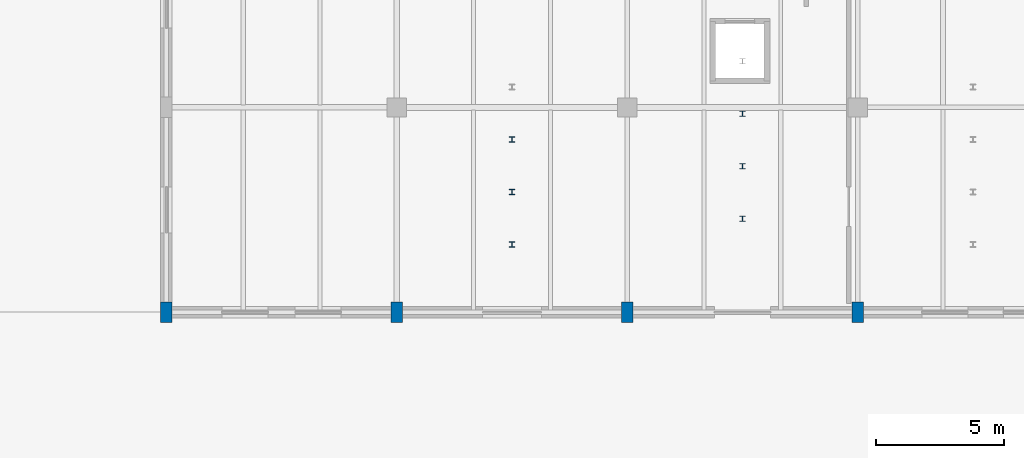
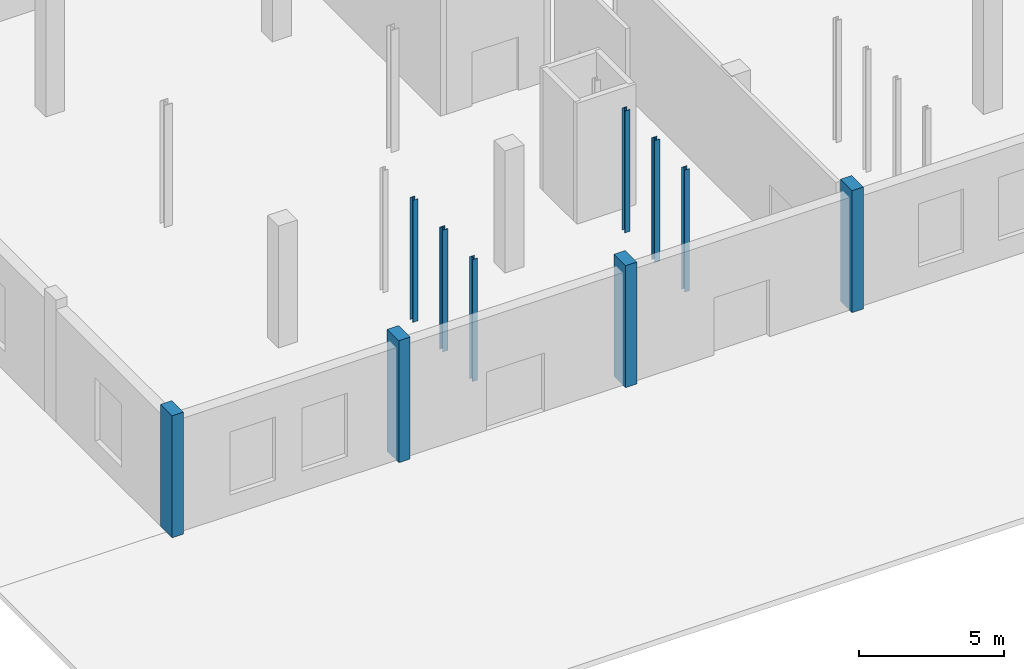
# One storey, part 1 of 103: 10 columns.
"""IFC4 building model written with IfcOpenShell, lengths in metres."""

from ifc_helpers import new_model, si_unit, direction, frame, origin, origin_2d, place, context, subcontext, project, spatial, rectangle, i_section, extrude, material, material_profile, profile_set, type_object, element, save


model = new_model("IFC4")

# Units and contexts
model_context = context("Model", 3, precision=1e-05, world=origin(), true_north=direction((0.0, 1.0)))
body_context = subcontext(model_context, "Body", "Model", "MODEL_VIEW")
ifc_project = project(units=[si_unit("LENGTHUNIT", "METRE"), si_unit("AREAUNIT", "SQUARE_METRE"), si_unit("VOLUMEUNIT", "CUBIC_METRE"), si_unit("PLANEANGLEUNIT", "RADIAN"), si_unit("MASSUNIT", "GRAM", prefix="KILO")], contexts=[model_context])

# Site, building, storey
site_placement = place(None, origin())
site = spatial("IfcSite", under=ifc_project, at=site_placement, CompositionType="ELEMENT")
building_placement = place(site_placement, origin())
building = spatial("IfcBuilding", under=site, at=building_placement, Name="Marnock Terrace Opera House", CompositionType="ELEMENT")
storey_placement = place(building_placement, origin())
storey = spatial("IfcBuildingStorey", under=building, at=storey_placement, Name="L00", CompositionType="ELEMENT", Elevation=0.0)

# Columns
ifc_material_1 = material(Name="Concrete N40 (f'c = 40 MPa)", Category="concrete")
ifc_material_profile_1 = material_profile(ifc_material_1, rectangle(XDim=0.449951171875, YDim=0.800048828125, at=origin_2d()))
ifc_profile_set_1 = profile_set([ifc_material_profile_1], Name="Concrete N40 (f'c = 40 MPa)")
column_type_1 = type_object("IfcColumnType", Name="COL-PIL-800", PredefinedType="PILASTER", material=ifc_profile_set_1)
for number, where, z_axis, x_axis, name in (
    (1, (0.0, 8.0, 0.0), (0.0, 0.0, 1.0), (1.0, 0.0, 0.0), "L00 column at (0.0, 8.0)"),
    (2, (9.0, 8.0, 0.0), (0.0, 0.0, 1.0), (1.0, 0.0, 0.0), "L00 column at (9.0, 8.0)"),
    (3, (18.0, 8.0, 0.0), (0.0, 0.0, 1.0), (1.0, 0.0, 0.0), "L00 column at (18.0, 8.0)"),
    (4, (27.0, 8.0, 0.0), (0.0, 0.0, 1.0), (1.0, 0.0, 0.0), "L00 column at (27.0, 8.0)"),
):
    element("IfcColumn", number, at=place(storey_placement, frame(where, z_axis=z_axis, x_axis=x_axis)), inside=storey, type_object=column_type_1, Name=name, PredefinedType="PILASTER", context=body_context, shape_type="SweptSolid", body=[
        extrude(rectangle(XDim=0.449951171875, YDim=0.800048828125, at=origin_2d()), origin(), (0.0, 0.0, 1.0), 5.1201171875),
    ])
ifc_material_2 = material(Name="Steel Grade 350 (AS/NZS 3679.1)", Category="steel")
ifc_material_profile_2 = material_profile(ifc_material_2, i_section(OverallWidth=0.205078125, OverallDepth=0.209716796875, WebThickness=0.00927734375, FlangeThickness=0.01416015625, FilletRadius=0.011474609375, at=origin_2d()))
ifc_profile_set_2 = profile_set([ifc_material_profile_2], Name="Steel Grade 350 (AS/NZS 3679.1)")
column_type_2 = type_object("IfcColumnType", Name="COL-UC200", PredefinedType="COLUMN", material=ifc_profile_set_2)
for number, where, z_axis, x_axis, name in (
    (5, (13.5, 10.64990234375, 0.0), (0.0, 0.0, 1.0), (1.0, 0.0, 0.0), "L00 Chamber tier 1 support column W"),
    (6, (22.5, 11.64990234375, 0.0), (0.0, 0.0, 1.0), (1.0, 0.0, 0.0), "L00 Chamber tier 1 support column M"),
    (7, (13.5, 12.699951171875, 0.0), (0.0, 0.0, 1.0), (1.0, 0.0, 0.0), "L00 Chamber tier 2 support column W"),
    (8, (22.5, 13.699951171875, 0.0), (0.0, 0.0, 1.0), (1.0, 0.0, 0.0), "L00 Chamber tier 2 support column M"),
    (9, (13.5, 14.75, 0.0), (0.0, 0.0, 1.0), (1.0, 0.0, 0.0), "L00 Chamber tier 3 support column W"),
    (10, (22.5, 15.75, 0.0), (0.0, 0.0, 1.0), (1.0, 0.0, 0.0), "L00 Chamber tier 3 support column M"),
):
    element("IfcColumn", number, at=place(storey_placement, frame(where, z_axis=z_axis, x_axis=x_axis)), inside=storey, type_object=column_type_2, Name=name, PredefinedType="COLUMN", context=body_context, shape_type="SweptSolid", body=[
        extrude(i_section(OverallWidth=0.205078125, OverallDepth=0.209716796875, WebThickness=0.00927734375, FlangeThickness=0.01416015625, FilletRadius=0.011474609375, at=origin_2d()), origin(), (0.0, 0.0, 1.0), 5.1201171875),
    ])

save(model, "model.ifc")
